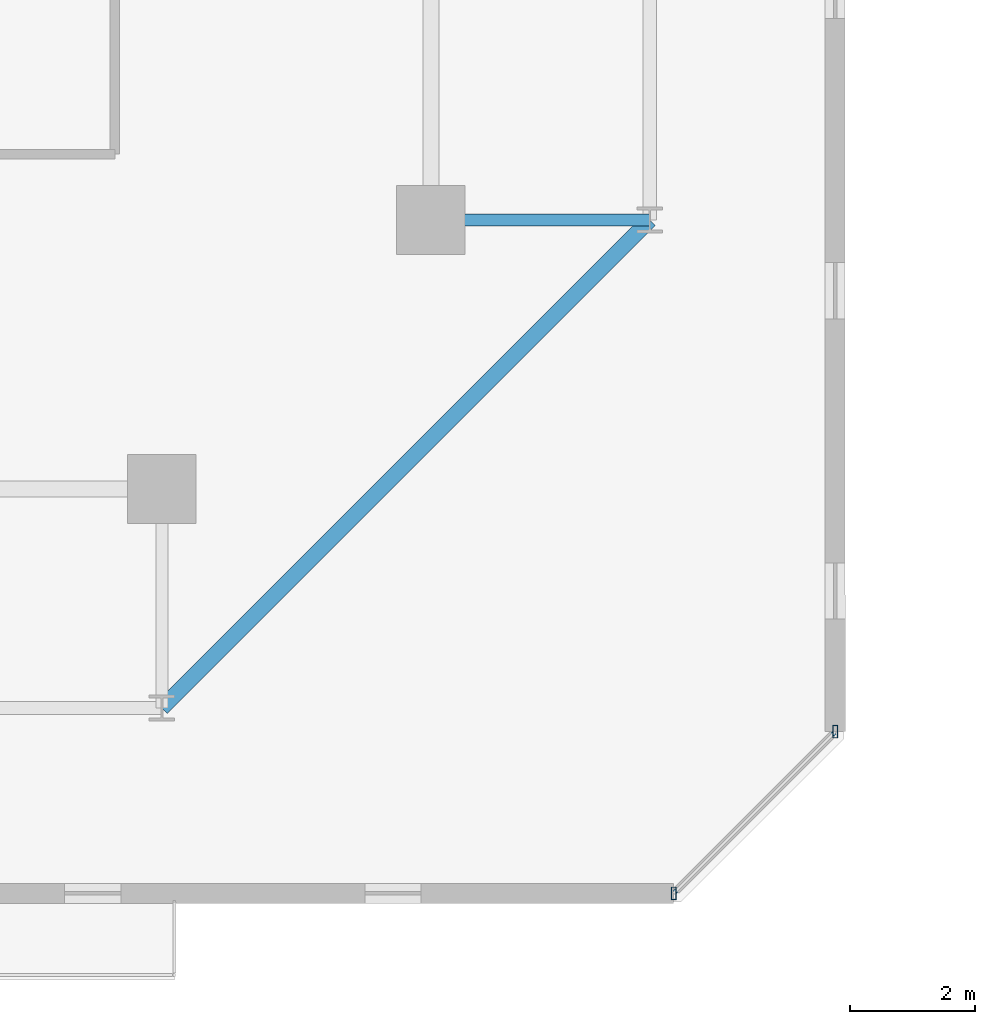
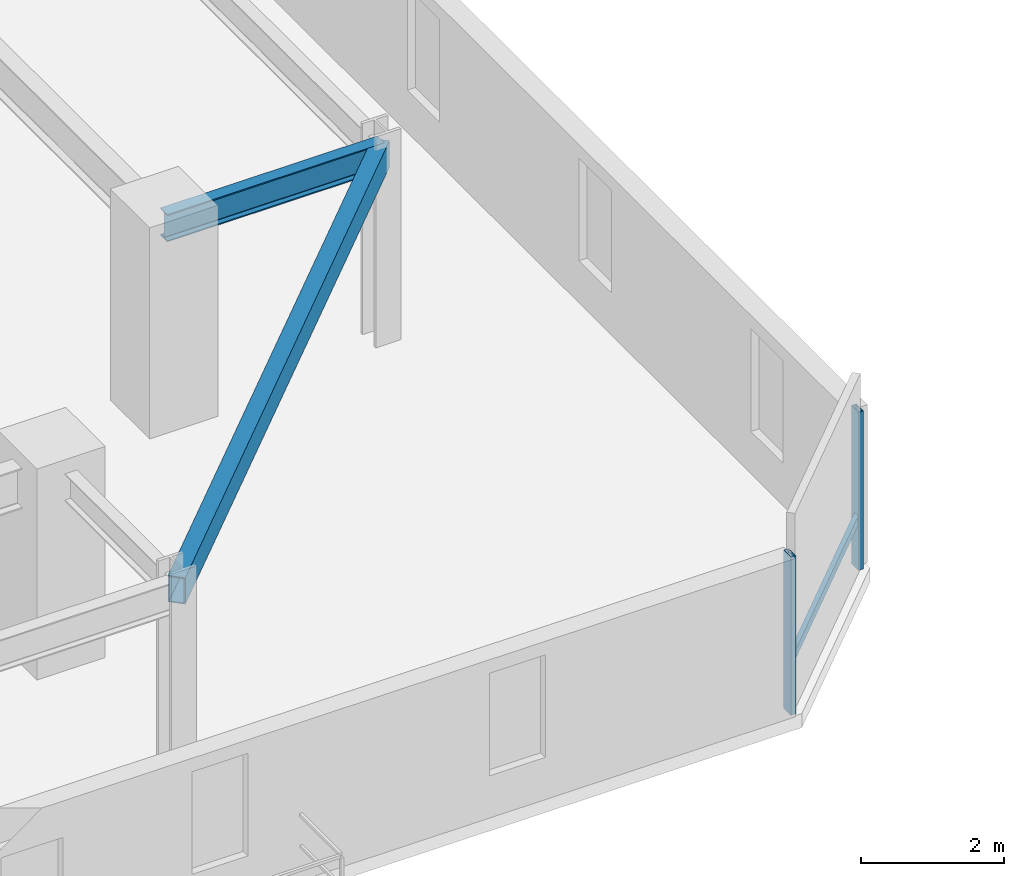
# One storey, part 5 of 33: 3 members, 2 beams, 1 element without a shape of its own.
"""IFC4 building model written with IfcOpenShell, lengths in metres."""

from ifc_helpers import new_model, si_unit, direction, frame, origin, origin_2d, place, context, subcontext, project, spatial, hollow_rectangle, i_section, extrude, material, material_profile, profile_set, type_object, element, aggregate, save


model = new_model("IFC4")

# Units and contexts
model_context = context("Model", 3, precision=1e-05, world=origin(), true_north=direction((0.0, 1.0)))
body_context = subcontext(model_context, "Body", "Model", "MODEL_VIEW")
ifc_project = project(units=[si_unit("LENGTHUNIT", "METRE"), si_unit("AREAUNIT", "SQUARE_METRE"), si_unit("VOLUMEUNIT", "CUBIC_METRE"), si_unit("PLANEANGLEUNIT", "RADIAN"), si_unit("MASSUNIT", "GRAM", prefix="KILO")], contexts=[model_context])

# Site, building, storey
site_placement = place(None, origin())
site = spatial("IfcSite", under=ifc_project, at=site_placement, CompositionType="ELEMENT")
building_placement = place(site_placement, origin())
building = spatial("IfcBuilding", under=site, at=building_placement, Name="Thornwick Lancets Civic Towers", CompositionType="ELEMENT")
storey_placement = place(building_placement, frame((0.0, 0.0, 159.89990234375)))
storey = spatial("IfcBuildingStorey", under=building, at=storey_placement, Name="L42", CompositionType="ELEMENT", Elevation=159.89990234375)

# Beams
ifc_material_1 = material(Name="Steel S355JR", Category="steel")
ifc_material_profile_1 = material_profile(ifc_material_1, i_section(OverallWidth=0.19287109375, OverallDepth=0.46728515625, WebThickness=0.011474609375, FlangeThickness=0.01953125, FilletRadius=0.01025390625, at=origin_2d()), Name="UKB 457x191x98")
ifc_profile_set_1 = profile_set([ifc_material_profile_1], Name="Steel S355JR")
beam_type_1 = type_object("IfcBeamType", Name="BM_JOIST_457_98", PredefinedType="JOIST", material=ifc_profile_set_1)
beam_1_placement = place(storey_placement, frame((42.800048828125, 14.0, 3.12646484375), z_axis=(1.0, 0.0, 0.0), x_axis=(0.0, 1.0, 0.0)))
element("IfcBeam", 1, at=beam_1_placement, inside=storey, type_object=beam_type_1, Name="BM-RAD-L42-A04", PredefinedType="JOIST", context=body_context, shape_type="SweptSolid", body=[
    extrude(i_section(OverallWidth=0.19287109375, OverallDepth=0.46728515625, WebThickness=0.011474609375, FlangeThickness=0.01953125, FilletRadius=0.01025390625, at=origin_2d()), origin(), (0.0, 0.0, 1.0), 3.5),
])
ifc_material_profile_2 = material_profile(ifc_material_1, hollow_rectangle(XDim=0.25, YDim=0.449951171875, WallThickness=0.01611328125, at=origin_2d()), Name="RHS 450x250x16")
ifc_profile_set_2 = profile_set([ifc_material_profile_2], Name="Steel S355JR")
beam_type_2 = type_object("IfcBeamType", Name="BM_RING_RHS450", PredefinedType="BEAM", material=ifc_profile_set_2)
beam_2_placement = place(storey_placement, frame((38.5, 6.199951171875, 3.135009765625), z_axis=(0.707106781187, 0.707106781187, 0.0), x_axis=(-0.707106781187, 0.707106781187, 0.0)))
element("IfcBeam", 2, at=beam_2_placement, inside=storey, type_object=beam_type_2, Name="BM-CHAMF-L42-A-C0", PredefinedType="BEAM", context=body_context, shape_type="SweptSolid", body=[
    extrude(hollow_rectangle(XDim=0.25, YDim=0.449951171875, WallThickness=0.01611328125, at=origin_2d()), origin(), (0.0, 0.0, 1.0), 11.031005859375),
])

# Curtain wall, members
ifc_material_2 = material(Name="Mid-zone chamfered-corner unitised glass curtain wall", Category="glass")
curtain_wall_type = type_object("IfcCurtainWallType", Name="CW_SYS_04", PredefinedType="NOTDEFINED", material=ifc_material_2)
curtain_wall_placement = place(storey_placement, origin())
curtain_wall = element("IfcCurtainWall", 3, at=curtain_wall_placement, inside=storey, type_object=curtain_wall_type, Name="L42 Curtain Wall CW-L42-A-E1", PredefinedType="NOTDEFINED")
ifc_material_3 = material(Name="Thermally broken bronze aluminium S355", Category="steel")
ifc_material_profile_3 = material_profile(ifc_material_3, hollow_rectangle(XDim=0.080078125, YDim=0.199951171875, WallThickness=0.006103515625, at=origin_2d()), Name="RHS 200x80x6")
ifc_profile_set_3 = profile_set([ifc_material_profile_3], Name="Thermally broken bronze aluminium S355")
member_type_1 = type_object("IfcMemberType", Name="CW_MUL_200", PredefinedType="MULLION", material=ifc_profile_set_3)
member_1_placement = place(storey_placement, frame((46.681396484375, 3.2353515625, 0.0), z_axis=(0.0, 0.0, 1.0), x_axis=(1.0, 0.0, 0.0)))
member_1 = element("IfcMember", 4, at=member_1_placement, type_object=member_type_1, Name="CW-L42-A-E1 Mullion 0", PredefinedType="MULLION", context=body_context, shape_type="SweptSolid", body=[
    extrude(hollow_rectangle(XDim=0.080078125, YDim=0.199951171875, WallThickness=0.006103515625, at=origin_2d()), origin(), (0.0, 0.0, 1.0), 2.7001953125),
])
member_2_placement = place(storey_placement, frame((49.2646484375, 5.818603515625, 0.0), z_axis=(0.0, 0.0, 1.0), x_axis=(1.0, 0.0, 0.0)))
member_2 = element("IfcMember", 5, at=member_2_placement, type_object=member_type_1, Name="CW-L42-A-E1 Mullion 1", PredefinedType="MULLION", context=body_context, shape_type="SweptSolid", body=[
    extrude(hollow_rectangle(XDim=0.080078125, YDim=0.199951171875, WallThickness=0.006103515625, at=origin_2d()), origin(), (0.0, 0.0, 1.0), 2.7001953125),
])
ifc_material_profile_4 = material_profile(ifc_material_3, hollow_rectangle(XDim=0.074951171875, YDim=0.14990234375, WallThickness=0.0048828125, at=origin_2d()), Name="RHS 150x75x5")
ifc_profile_set_4 = profile_set([ifc_material_profile_4], Name="Thermally broken bronze aluminium S355")
member_type_2 = type_object("IfcMemberType", Name="CW_TRN_150", PredefinedType="USERDEFINED", material=ifc_profile_set_4)
member_3_placement = place(storey_placement, frame((46.695556640625, 3.24951171875, 0.85009765625), z_axis=(0.707106781187, 0.707106781187, 0.0), x_axis=(-0.707106781187, 0.707106781187, 0.0)))
member_3 = element("IfcMember", 6, at=member_3_placement, type_object=member_type_2, Name="CW-L42-A-E1 Transom 0", ObjectType="TRANSOM", PredefinedType="USERDEFINED", context=body_context, shape_type="SweptSolid", body=[
    extrude(hollow_rectangle(XDim=0.074951171875, YDim=0.14990234375, WallThickness=0.0048828125, at=origin_2d()), origin(), (0.0, 0.0, 1.0), 3.61328125),
])
aggregate(curtain_wall, [member_1, member_2, member_3])

save(model, "model.ifc")
